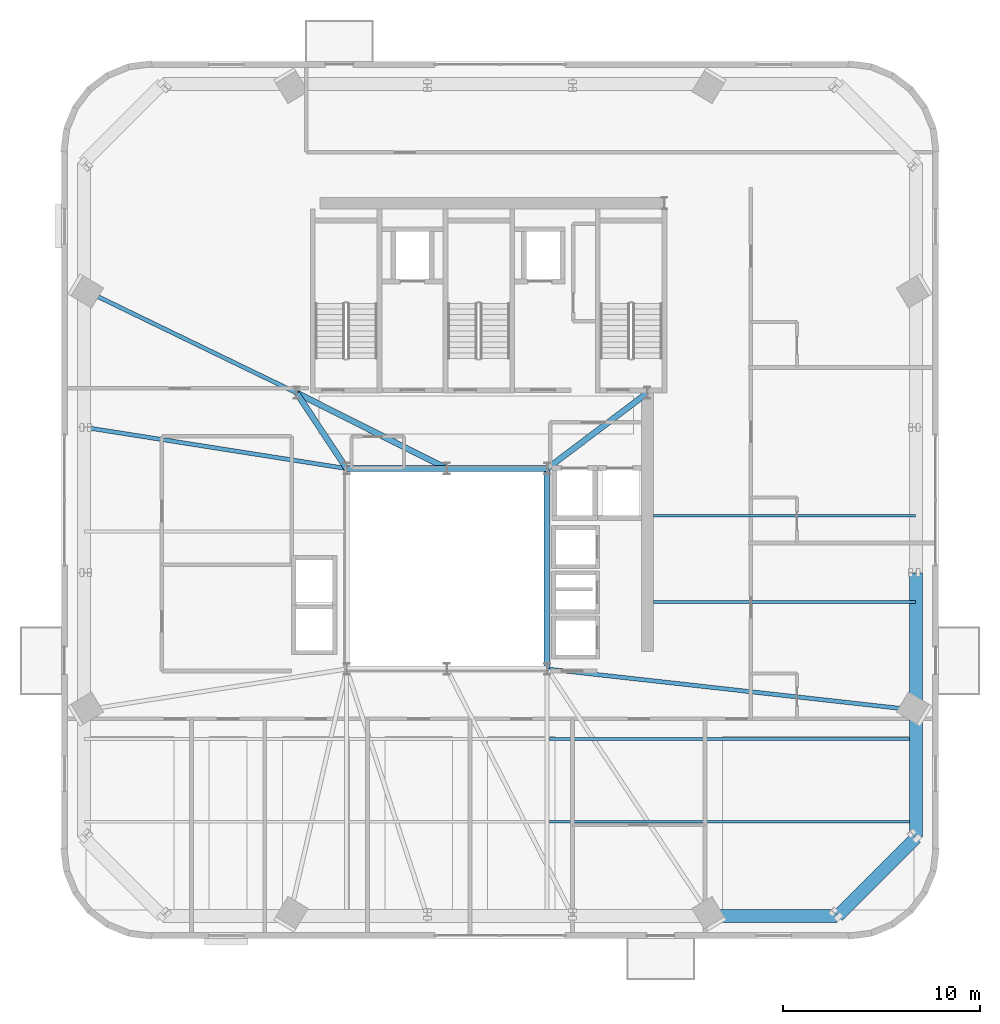
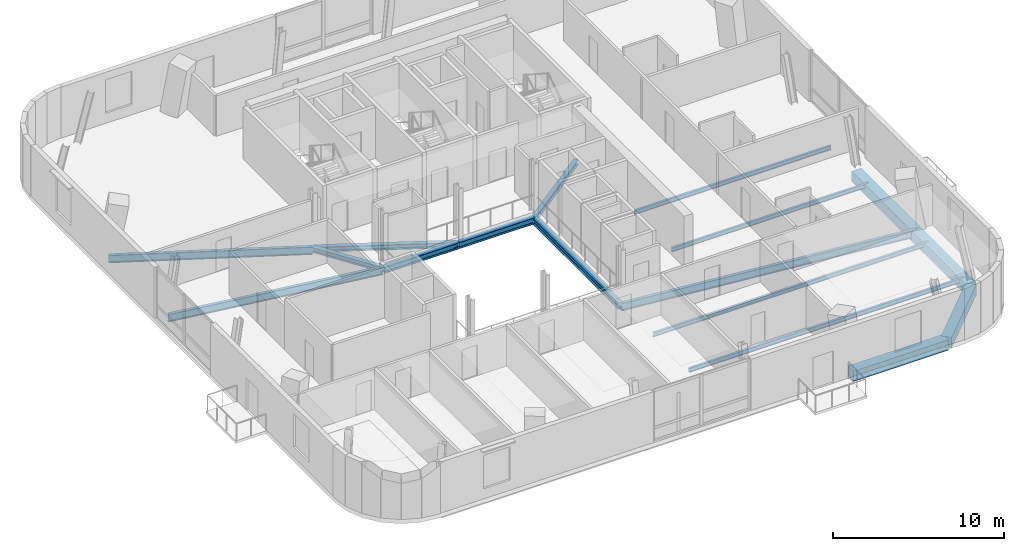
# One storey, part 4 of 15: 17 beams.
"""IFC4 building model written with IfcOpenShell, lengths in metres."""

from ifc_helpers import new_model, si_unit, direction, frame, origin, origin_2d, place, context, subcontext, project, spatial, rectangle, i_section, extrude, source, transform, mapped, material, material_profile, profile_set, type_object, element, save


model = new_model("IFC4")

# Units and contexts
model_context = context("Model", 3, precision=1e-05, world=origin(), true_north=direction((0.0, 1.0)))
body_context = subcontext(model_context, "Body", "Model", "MODEL_VIEW")
ifc_project = project(units=[si_unit("LENGTHUNIT", "METRE"), si_unit("AREAUNIT", "SQUARE_METRE"), si_unit("VOLUMEUNIT", "CUBIC_METRE"), si_unit("PLANEANGLEUNIT", "RADIAN"), si_unit("MASSUNIT", "GRAM", prefix="KILO")], contexts=[model_context])

# Site, building, storey
site_placement = place(None, origin())
site = spatial("IfcSite", under=ifc_project, at=site_placement, CompositionType="ELEMENT")
building_placement = place(site_placement, origin())
building = spatial("IfcBuilding", under=site, at=building_placement, Name="Vardaveli Station Tower", CompositionType="ELEMENT")
storey_placement = place(building_placement, frame((0.0, 0.0, 262.449951171875)))
storey = spatial("IfcBuildingStorey", under=building, at=storey_placement, Name="L67", CompositionType="ELEMENT", Elevation=262.449951171875)

# Beams
ifc_material_1 = material(Name="Structural steel S355J2", Category="steel")
ifc_material_profile_1 = material_profile(ifc_material_1, i_section(OverallWidth=0.300048828125, OverallDepth=0.449951171875, WebThickness=0.013916015625, FlangeThickness=0.02587890625, FilletRadius=0.027099609375, at=origin_2d()), Name="HEB 450")
ifc_profile_set_1 = profile_set([ifc_material_profile_1], Name="Structural steel S355J2")
beam_type_1 = type_object("IfcBeamType", Name="BM-HEB450", PredefinedType="BEAM", material=ifc_profile_set_1)
shared_shape_1 = source(origin(), body_context, "Body", "SweptSolid", [
    extrude(i_section(OverallWidth=0.300048828125, OverallDepth=0.449951171875, WebThickness=0.013916015625, FlangeThickness=0.02587890625, FilletRadius=0.027099609375, at=origin_2d()), origin(), (0.0, 0.0, 1.0), 5.06005859375),
])
beam_1_placement = place(storey_placement, frame((36.280029296875, 26.800048828125, -0.52490234375), z_axis=(-1.0, 0.0, 0.0), x_axis=(0.0, -1.0, 0.0)))
element("IfcBeam", 1, at=beam_1_placement, inside=storey, type_object=beam_type_1, Name="ABM-L67-05", PredefinedType="BEAM", context=body_context, shape_type="MappedRepresentation", body=[
    mapped(shared_shape_1, transform((0.0, 0.0, 0.0), scale=1.0)),
])
shared_shape_2 = source(origin(), body_context, "Body", "SweptSolid", [
    extrude(i_section(OverallWidth=0.300048828125, OverallDepth=0.449951171875, WebThickness=0.013916015625, FlangeThickness=0.02587890625, FilletRadius=0.027099609375, at=origin_2d()), origin(), (0.0, 0.0, 1.0), 5.059814453125),
])
beam_2_placement = place(storey_placement, frame((41.3798828125, 26.800048828125, -0.52490234375), z_axis=(-1.0, 0.0, 0.0), x_axis=(0.0, -1.0, 0.0)))
element("IfcBeam", 2, at=beam_2_placement, inside=storey, type_object=beam_type_1, Name="ABM-L67-04", PredefinedType="BEAM", context=body_context, shape_type="MappedRepresentation", body=[
    mapped(shared_shape_2, transform((0.0, 0.0, 0.0), scale=1.0)),
])
shared_shape_3 = source(origin(), body_context, "Body", "SweptSolid", [
    extrude(i_section(OverallWidth=0.300048828125, OverallDepth=0.449951171875, WebThickness=0.013916015625, FlangeThickness=0.02587890625, FilletRadius=0.027099609375, at=origin_2d()), origin(), (0.0, 0.0, 1.0), 10.159912109375),
])
beam_3_placement = place(storey_placement, frame((41.39990234375, 16.6201171875, -0.52490234375), z_axis=(0.0, 1.0, 0.0), x_axis=(-1.0, 0.0, 0.0)))
element("IfcBeam", 3, at=beam_3_placement, inside=storey, type_object=beam_type_1, Name="ABM-L67-03", PredefinedType="BEAM", context=body_context, shape_type="MappedRepresentation", body=[
    mapped(shared_shape_3, transform((0.0, 0.0, 0.0), scale=1.0)),
])
ifc_material_profile_2 = material_profile(ifc_material_1, i_section(OverallWidth=0.300048828125, OverallDepth=0.360107421875, WebThickness=0.012451171875, FlangeThickness=0.0224609375, FilletRadius=0.027099609375, at=origin_2d()), Name="HEB 360")
ifc_profile_set_2 = profile_set([ifc_material_profile_2], Name="Structural steel S355J2")
beam_type_2 = type_object("IfcBeamType", Name="BM-HEB360", PredefinedType="BEAM", material=ifc_profile_set_2)
shared_shape_4 = source(origin(), body_context, "Body", "SweptSolid", [
    extrude(i_section(OverallWidth=0.300048828125, OverallDepth=0.360107421875, WebThickness=0.012451171875, FlangeThickness=0.0224609375, FilletRadius=0.027099609375, at=origin_2d()), origin(), (0.0, 0.0, 1.0), 4.577880859375),
])
beam_4_placement = place(storey_placement, frame((31.18896484375, 26.816650390625, -0.47998046875), z_axis=(-0.55218702139, 0.833720272879, 0.0), x_axis=(-0.833720272879, -0.55218702139, 0.0)))
element("IfcBeam", 4, at=beam_4_placement, inside=storey, type_object=beam_type_2, Name="CBM-L67-01", PredefinedType="BEAM", context=body_context, shape_type="MappedRepresentation", body=[
    mapped(shared_shape_4, transform((0.0, 0.0, 0.0), scale=1.0)),
])
shared_shape_5 = source(origin(), body_context, "Body", "SweptSolid", [
    extrude(i_section(OverallWidth=0.300048828125, OverallDepth=0.360107421875, WebThickness=0.012451171875, FlangeThickness=0.0224609375, FilletRadius=0.027099609375, at=origin_2d()), origin(), (0.0, 0.0, 1.0), 6.35009765625),
])
beam_5_placement = place(storey_placement, frame((41.416015625, 26.81201171875, -0.47998046875), z_axis=(0.798118337722, 0.602500721154, 0.0), x_axis=(-0.602500721154, 0.798118337722, 0.0)))
element("IfcBeam", 5, at=beam_5_placement, inside=storey, type_object=beam_type_2, Name="CBM-L67-02", PredefinedType="BEAM", context=body_context, shape_type="MappedRepresentation", body=[
    mapped(shared_shape_5, transform((0.0, 0.0, 0.0), scale=1.0)),
])
shared_shape_6 = source(origin(), body_context, "Body", "SweptSolid", [
    extrude(i_section(OverallWidth=0.300048828125, OverallDepth=0.360107421875, WebThickness=0.012451171875, FlangeThickness=0.0224609375, FilletRadius=0.027099609375, at=origin_2d()), origin(), (0.0, 0.0, 1.0), 8.524169921875),
])
beam_6_placement = place(storey_placement, frame((28.66796875, 30.64111328125, -0.47998046875), z_axis=(0.893255584708, -0.449549174605, 0.0), x_axis=(0.449549174605, 0.893255584708, 0.0)))
element("IfcBeam", 6, at=beam_6_placement, inside=storey, type_object=beam_type_2, Name="CBM-L67-03", PredefinedType="BEAM", context=body_context, shape_type="MappedRepresentation", body=[
    mapped(shared_shape_6, transform((0.0, 0.0, 0.0), scale=1.0)),
])
ifc_material_2 = material(Name="Precast concrete C45/55", Category="concrete")
ifc_material_profile_3 = material_profile(ifc_material_2, rectangle(XDim=0.64990234375, YDim=0.75, at=origin_2d()), Name="LPB 650x750")
ifc_profile_set_3 = profile_set([ifc_material_profile_3], Name="Precast concrete C45/55")
beam_type_3 = type_object("IfcBeamType", Name="BM-LPB-750", PredefinedType="BEAM", material=ifc_profile_set_3)
shared_shape_7 = source(origin(), body_context, "Body", "SweptSolid", [
    extrude(rectangle(XDim=0.64990234375, YDim=0.75, at=origin_2d()), origin(), (0.0, 0.0, 1.0), 5.61669921875),
])
beam_7_placement = place(storey_placement, frame((56.18408203125, 4.044189453125, -0.675048828125), z_axis=(0.707106781187, 0.707106781187, 0.0), x_axis=(-0.707106781187, 0.707106781187, 0.0)))
element("IfcBeam", 7, at=beam_7_placement, inside=storey, type_object=beam_type_3, Name="RBM-L67-05", PredefinedType="BEAM", context=body_context, shape_type="MappedRepresentation", body=[
    mapped(shared_shape_7, transform((0.0, 0.0, 0.0), scale=1.0)),
])
shared_shape_8 = source(origin(), body_context, "Body", "SweptSolid", [
    extrude(rectangle(XDim=0.64990234375, YDim=0.75, at=origin_2d()), origin(), (0.0, 0.0, 1.0), 6.43798828125),
])
for number, where, z_axis, x_axis, name in (
    (8, (49.7119140625, 4.030029296875, -0.675048828125), (1.0, 0.0, 0.0), (0.0, 1.0, 0.0), "RBM-L67-04"),
    (9, (60.169921875, 8.050048828125, -0.675048828125), (0.0, 1.0, 0.0), (-1.0, 0.0, 0.0), "RBM-L67-06"),
):
    element("IfcBeam", number, at=place(storey_placement, frame(where, z_axis=z_axis, x_axis=x_axis)), inside=storey, type_object=beam_type_3, Name=name, PredefinedType="BEAM", context=body_context, shape_type="MappedRepresentation", body=[
        mapped(shared_shape_8, transform((0.0, 0.0, 0.0), scale=1.0)),
    ])
shared_shape_9 = source(origin(), body_context, "Body", "SweptSolid", [
    extrude(rectangle(XDim=0.64990234375, YDim=0.75, at=origin_2d()), origin(), (0.0, 0.0, 1.0), 6.951904296875),
])
beam_8_placement = place(storey_placement, frame((60.169921875, 14.528076171875, -0.675048828125), z_axis=(0.0, 1.0, 0.0), x_axis=(-1.0, 0.0, 0.0)))
element("IfcBeam", 10, at=beam_8_placement, inside=storey, type_object=beam_type_3, Name="RBM-L67-07", PredefinedType="BEAM", context=body_context, shape_type="MappedRepresentation", body=[
    mapped(shared_shape_9, transform((0.0, 0.0, 0.0), scale=1.0)),
])
ifc_material_profile_4 = material_profile(ifc_material_1, i_section(OverallWidth=0.2099609375, OverallDepth=0.550048828125, WebThickness=0.010986328125, FlangeThickness=0.01708984375, FilletRadius=0.02392578125, at=origin_2d()), Name="IPE 550")
ifc_profile_set_4 = profile_set([ifc_material_profile_4], Name="Structural steel S355J2")
beam_type_4 = type_object("IfcBeamType", Name="BM-IPE550", PredefinedType="BEAM", material=ifc_profile_set_4)
shared_shape_10 = source(origin(), body_context, "Body", "SweptSolid", [
    extrude(i_section(OverallWidth=0.2099609375, OverallDepth=0.550048828125, WebThickness=0.010986328125, FlangeThickness=0.01708984375, FilletRadius=0.02392578125, at=origin_2d()), origin(), (0.0, 0.0, 1.0), 18.84619140625),
])
beam_9_placement = place(storey_placement, frame((60.150146484375, 14.51025390625, -0.574951171875), z_axis=(-0.993845760886, 0.11077275644, 0.0), x_axis=(-0.11077275644, -0.993845760886, 0.0)))
element("IfcBeam", 11, at=beam_9_placement, inside=storey, type_object=beam_type_4, Name="GBM-L67-05", PredefinedType="BEAM", context=body_context, shape_type="MappedRepresentation", body=[
    mapped(shared_shape_10, transform((0.0, 0.0, 0.0), scale=1.0)),
])
shared_shape_11 = source(origin(), body_context, "Body", "SweptSolid", [
    extrude(i_section(OverallWidth=0.2099609375, OverallDepth=0.550048828125, WebThickness=0.010986328125, FlangeThickness=0.01708984375, FilletRadius=0.02392578125, at=origin_2d()), origin(), (0.0, 0.0, 1.0), 13.49365234375),
])
beam_10_placement = place(storey_placement, frame((17.849853515625, 28.89697265625, -0.574951171875), z_axis=(0.987888657286, -0.15516443151, 0.0), x_axis=(0.15516443151, 0.987888657286, 0.0)))
element("IfcBeam", 12, at=beam_10_placement, inside=storey, type_object=beam_type_4, Name="GBM-L67-08", PredefinedType="BEAM", context=body_context, shape_type="MappedRepresentation", body=[
    mapped(shared_shape_11, transform((0.0, 0.0, 0.0), scale=1.0)),
])
shared_shape_12 = source(origin(), body_context, "Body", "SweptSolid", [
    extrude(i_section(OverallWidth=0.2099609375, OverallDepth=0.550048828125, WebThickness=0.010986328125, FlangeThickness=0.01708984375, FilletRadius=0.02392578125, at=origin_2d()), origin(), (0.0, 0.0, 1.0), 11.983154296875),
])
beam_11_placement = place(storey_placement, frame((17.847900390625, 35.88330078125, -0.574951171875), z_axis=(0.899947849776, -0.435997554677, 0.0), x_axis=(0.435997554677, 0.899947849776, 0.0)))
element("IfcBeam", 13, at=beam_11_placement, inside=storey, type_object=beam_type_4, Name="GBM-L67-12", PredefinedType="BEAM", context=body_context, shape_type="MappedRepresentation", body=[
    mapped(shared_shape_12, transform((0.0, 0.0, 0.0), scale=1.0)),
])
ifc_material_profile_5 = material_profile(ifc_material_1, i_section(OverallWidth=0.14990234375, OverallDepth=0.300048828125, WebThickness=0.007080078125, FlangeThickness=0.0107421875, FilletRadius=0.014892578125, at=origin_2d()), Name="IPE 300")
ifc_profile_set_5 = profile_set([ifc_material_profile_5], Name="Structural steel S355J2")
beam_type_5 = type_object("IfcBeamType", Name="BM-IPE300", PredefinedType="JOIST", material=ifc_profile_set_5)
shared_shape_13 = source(origin(), body_context, "Body", "SweptSolid", [
    extrude(i_section(OverallWidth=0.14990234375, OverallDepth=0.300048828125, WebThickness=0.007080078125, FlangeThickness=0.0107421875, FilletRadius=0.014892578125, at=origin_2d()), origin(), (0.0, 0.0, 1.0), 18.617919921875),
])
for number, where, z_axis, x_axis, name in (
    (14, (41.511962890625, 8.830078125, -0.449951171875), (1.0, 0.0, 0.0), (0.0, 1.0, 0.0), "SJ-L67-S03"),
    (15, (41.511962890625, 13.030029296875, -0.449951171875), (1.0, 0.0, 0.0), (0.0, 1.0, 0.0), "SJ-L67-S06"),
):
    element("IfcBeam", number, at=place(storey_placement, frame(where, z_axis=z_axis, x_axis=x_axis)), inside=storey, type_object=beam_type_5, Name=name, PredefinedType="JOIST", context=body_context, shape_type="MappedRepresentation", body=[
        mapped(shared_shape_13, transform((0.0, 0.0, 0.0), scale=1.0)),
    ])
shared_shape_14 = source(origin(), body_context, "Body", "SweptSolid", [
    extrude(i_section(OverallWidth=0.14990234375, OverallDepth=0.300048828125, WebThickness=0.007080078125, FlangeThickness=0.0107421875, FilletRadius=0.014892578125, at=origin_2d()), origin(), (0.0, 0.0, 1.0), 13.324951171875),
])
for number, where, z_axis, x_axis, name in (
    (16, (46.804931640625, 20.0, -0.449951171875), (1.0, 0.0, 0.0), (0.0, 1.0, 0.0), "SJ-L67-E09"),
    (17, (46.804931640625, 24.39990234375, -0.449951171875), (1.0, 0.0, 0.0), (0.0, 1.0, 0.0), "SJ-L67-E10"),
):
    element("IfcBeam", number, at=place(storey_placement, frame(where, z_axis=z_axis, x_axis=x_axis)), inside=storey, type_object=beam_type_5, Name=name, PredefinedType="JOIST", context=body_context, shape_type="MappedRepresentation", body=[
        mapped(shared_shape_14, transform((0.0, 0.0, 0.0), scale=1.0)),
    ])

save(model, "model.ifc")
